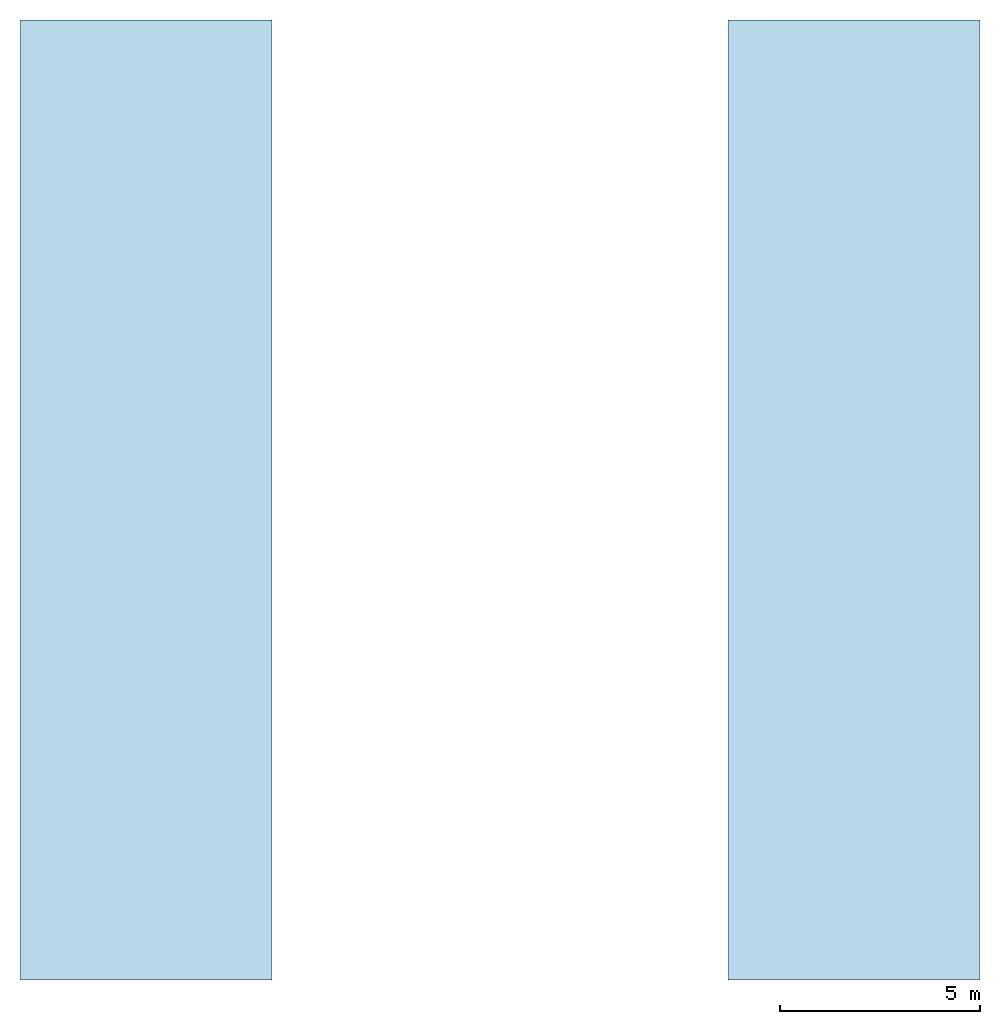
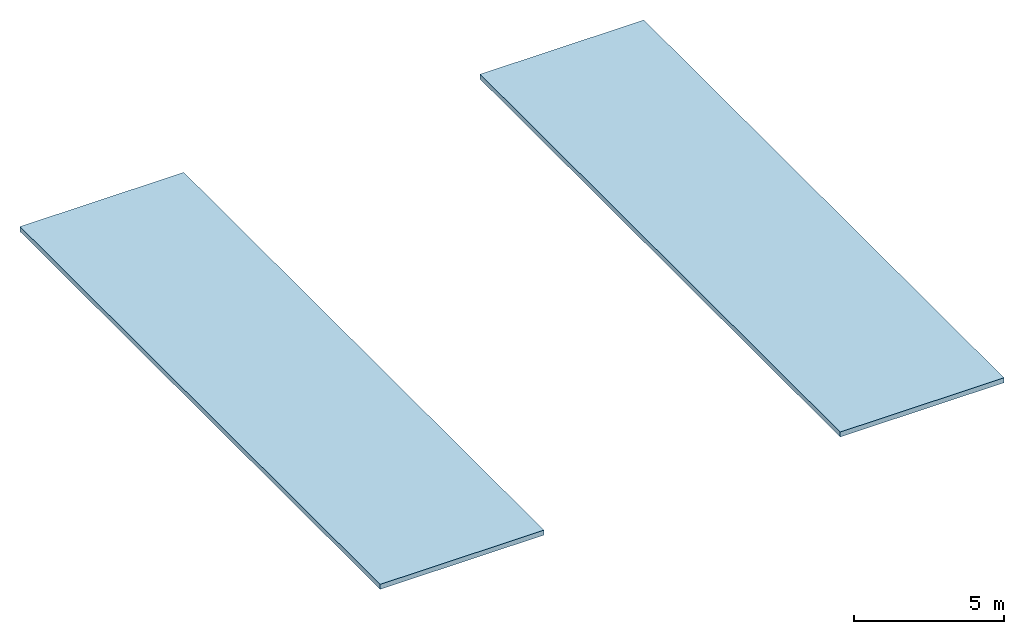
# One storey: 2 slabs.
"""IFC4 building model written with IfcOpenShell, lengths in metres."""

import ifcopenshell
import ifcopenshell.guid

model = None  # the IFC model being written
_history = None  # IfcOwnerHistory: only IFC2X3 demands one
_inside = {}  # id of a spatial element -> (the spatial element, [elements in it])
_under = {}  # id of a project, library or spatial element -> (it, [spatial elements below it])
_declared = {}  # id of a project -> (the project, [libraries it declares])
_typed = {}  # id of a type object -> (the type object, [elements of that type])
_made_of = {}  # id of a material, layer set ... -> (it, [elements and type objects made of it])


def new_model(schema):
    """Start an empty IFC model of exactly this schema.

    Asked for "IFC4X3", IfcOpenShell would pick the latest addendum, in which some entities
    have other attributes; the version numbers below select the first issue.
    IFC2X3 requires an IfcOwnerHistory on every rooted entity: one is made here for all.
    """
    global model, _history
    if schema == "IFC4X3":
        model = ifcopenshell.file(schema_version=(4, 3, 0, 0))
    else:
        model = ifcopenshell.file(schema=schema)
    _inside.clear()
    _under.clear()
    _declared.clear()
    _typed.clear()
    _made_of.clear()
    _history = None
    if model.schema == "IFC2X3":
        org = make("IfcOrganization", Name="unknown")
        user = make(
            "IfcPersonAndOrganization",
            ThePerson=make("IfcPerson", FamilyName="unknown"),
            TheOrganization=org,
        )
        app = make(
            "IfcApplication",
            ApplicationDeveloper=org,
            Version="unknown",
            ApplicationFullName="unknown",
            ApplicationIdentifier="unknown",
        )
        _history = make(
            "IfcOwnerHistory",
            OwningUser=user,
            OwningApplication=app,
            ChangeAction="ADDED",
            CreationDate=0,
        )
    return model


def make(cls, **values):
    """One entity of the class cls with the attributes given. An attribute that is None is left unset."""
    return model.create_entity(
        cls, **{name: value for name, value in values.items() if value is not None}
    )


def rooted(cls, **values):
    """An entity with a GlobalId (a new one), such as an element, a storey or a relation."""
    return make(cls, GlobalId=ifcopenshell.guid.new(), OwnerHistory=_history, **values)


def si_unit(unit_type, name, prefix=None):
    """IfcSIUnit, for example si_unit("LENGTHUNIT", "METRE", prefix="MILLI")."""
    return make("IfcSIUnit", UnitType=unit_type, Prefix=prefix, Name=name)


def assignment(units):
    """IfcUnitAssignment: the units of a project."""
    return None if units is None else make("IfcUnitAssignment", Units=units)


def point(xyz):
    """IfcCartesianPoint."""
    return None if xyz is None else make("IfcCartesianPoint", Coordinates=xyz)


def direction(xyz):
    """IfcDirection."""
    return None if xyz is None else make("IfcDirection", DirectionRatios=xyz)


def frame(location, z_axis=None, x_axis=None):
    """IfcAxis2Placement3D, a coordinate frame: its origin and axes. An axis left out is left unset."""
    return make(
        "IfcAxis2Placement3D",
        Location=point(location),
        Axis=direction(z_axis),
        RefDirection=direction(x_axis),
    )


def origin():
    """The frame at (0, 0, 0) with its axes left unset."""
    return frame((0.0, 0.0, 0.0))


def place(relative_to, where):
    """IfcLocalPlacement: puts the frame where relative to a parent placement (None: the world)."""
    return make(
        "IfcLocalPlacement", PlacementRelTo=relative_to, RelativePlacement=where
    )


def context(
    kind, dimensions, precision=None, world=None, true_north=None, identifier=None
):
    """IfcGeometricRepresentationContext, for example the 3D "Model" context."""
    return make(
        "IfcGeometricRepresentationContext",
        ContextIdentifier=identifier,
        ContextType=kind,
        CoordinateSpaceDimension=dimensions,
        Precision=precision,
        WorldCoordinateSystem=world,
        TrueNorth=true_north,
    )


def subcontext(parent, identifier, kind, view, scale=None):
    """IfcGeometricRepresentationSubContext, for example "Body" below "Model"."""
    return make(
        "IfcGeometricRepresentationSubContext",
        ContextIdentifier=identifier,
        ContextType=kind,
        ParentContext=parent,
        TargetScale=scale,
        TargetView=view,
    )


def project(units=None, contexts=None):
    """IfcProject with its units and contexts."""
    return rooted(
        "IfcProject",
        Name="project",
        RepresentationContexts=contexts,
        UnitsInContext=assignment(units),
    )


def spatial(cls, under=None, at=None, **own):
    """A site, building, storey or space (cls), placed at a placement, below another one or the project."""
    s = rooted(cls, ObjectPlacement=at, **own)
    if under is not None:
        _under.setdefault(under.id(), (under, []))[1].append(s)
    return s


def polyline(points):
    """IfcPolyline through the points."""
    return make("IfcPolyline", Points=[point(p) for p in points])


def outline(outer, holes=None, kind="AREA"):
    """IfcArbitraryClosedProfileDef: a profile drawn as a closed curve; with holes, ...WithVoids."""
    if holes is None:
        return make("IfcArbitraryClosedProfileDef", ProfileType=kind, OuterCurve=outer)
    return make(
        "IfcArbitraryProfileDefWithVoids",
        ProfileType=kind,
        OuterCurve=outer,
        InnerCurves=holes,
    )


def extrude(swept, where, along, depth):
    """IfcExtrudedAreaSolid: the profile swept, set in the frame where, extruded along a direction by depth."""
    return make(
        "IfcExtrudedAreaSolid",
        SweptArea=swept,
        Position=where,
        ExtrudedDirection=direction(along),
        Depth=depth,
    )


def shape(context_of_items, identifier, shape_type, items):
    """IfcShapeRepresentation: the items that make up one representation, for example the "Body"."""
    return make(
        "IfcShapeRepresentation",
        ContextOfItems=context_of_items,
        RepresentationIdentifier=identifier,
        RepresentationType=shape_type,
        Items=items,
    )


def material(Name=None, Category=None):
    """IfcMaterial."""
    return make("IfcMaterial", Name=Name, Category=Category)


def layer(
    of_material, thickness, ventilated=None, Name=None, Category=None, Priority=None
):
    """IfcMaterialLayer: one layer of a wall or slab, of a material (None: an air gap)."""
    return make(
        "IfcMaterialLayer",
        Material=of_material,
        LayerThickness=thickness,
        IsVentilated=ventilated,
        Name=Name,
        Category=Category,
        Priority=Priority,
    )


def layer_set(layers, Name=None):
    """IfcMaterialLayerSet."""
    return make("IfcMaterialLayerSet", MaterialLayers=layers, LayerSetName=Name)


def made_of(thing, what):
    """Note that an element or type object is made of a material, layer set ...; save() writes the relation."""
    if what is not None:
        _made_of.setdefault(what.id(), (what, []))[1].append(thing)
    return thing


def type_object(cls, material=None, **own):
    """A type object (cls), such as IfcWallType, which elements share."""
    return made_of(rooted(cls, **own), material)


def element(
    cls,
    number,
    at=None,
    inside=None,
    cuts=None,
    type_object=None,
    material=None,
    context=None,
    identifier="Body",
    shape_type=None,
    held_by="IfcProductDefinitionShape",
    body=None,
    shapes=None,
    **own,
):
    """One element of the class cls, such as IfcWall. Its Tag is "e" and its number.

    at: its placement. inside: the storey or other place that contains it. cuts: it is an
    opening in that element (IfcRelVoidsElement). A single representation is given by context,
    identifier, shape_type and body (its items); several are given by shapes. held_by: the class
    of the entity that holds the representations. save() writes the other relations.
    """
    e = rooted(cls, Tag="e%d" % number, ObjectPlacement=at, **own)
    if body is not None:
        shapes = [shape(context, identifier, shape_type, body)]
    if shapes is not None:
        e.Representation = make(held_by, Representations=shapes)
    if inside is not None:
        _inside.setdefault(inside.id(), (inside, []))[1].append(e)
    if cuts is not None:
        rooted(
            "IfcRelVoidsElement", RelatingBuildingElement=cuts, RelatedOpeningElement=e
        )
    if type_object is not None:
        _typed.setdefault(type_object.id(), (type_object, []))[1].append(e)
    return made_of(e, material)


def aggregate(whole, parts):
    """IfcRelAggregates: a whole, such as a stair, and the parts it consists of."""
    return rooted("IfcRelAggregates", RelatingObject=whole, RelatedObjects=parts)


def save(model, path):
    """Write the relations noted so far, then the file.

    IfcRelAggregates (storeys below a building ...), IfcRelContainedInSpatialStructure (elements
    in a storey), IfcRelDefinesByType, IfcRelAssociatesMaterial and IfcRelDeclares: one each for
    every whole, place, type object, material and project.
    """
    for whole, parts in _under.values():
        aggregate(whole, parts)
    for where, things in _inside.values():
        rooted(
            "IfcRelContainedInSpatialStructure",
            RelatedElements=things,
            RelatingStructure=where,
        )
    for kind, things in _typed.values():
        rooted("IfcRelDefinesByType", RelatedObjects=things, RelatingType=kind)
    for what, things in _made_of.values():
        rooted("IfcRelAssociatesMaterial", RelatedObjects=things, RelatingMaterial=what)
    for by, libraries in _declared.values():
        rooted("IfcRelDeclares", RelatingContext=by, RelatedDefinitions=libraries)
    model.write(path)


model = new_model("IFC4")

# Units and contexts
model_context = context("Model", 3, precision=1e-05, world=origin(), true_north=direction((0.0, 1.0)))
body_context = subcontext(model_context, "Body", "Model", "MODEL_VIEW")
ifc_project = project(units=[si_unit("LENGTHUNIT", "METRE"), si_unit("AREAUNIT", "SQUARE_METRE"), si_unit("VOLUMEUNIT", "CUBIC_METRE"), si_unit("PLANEANGLEUNIT", "RADIAN"), si_unit("MASSUNIT", "GRAM", prefix="KILO")], contexts=[model_context])

# Site, building, storey
site_placement = place(None, origin())
site = spatial("IfcSite", under=ifc_project, at=site_placement, CompositionType="ELEMENT")
building_placement = place(site_placement, origin())
building = spatial("IfcBuilding", under=site, at=building_placement, Name="Peilmerk Tower", CompositionType="ELEMENT")
storey_placement = place(building_placement, frame((0.0, 0.0, 311.60009765625)))
storey = spatial("IfcBuildingStorey", under=building, at=storey_placement, Name="RF-HH", CompositionType="ELEMENT", Elevation=311.60009765625)

# Slabs
ifc_material = material(Name="Concrete C35/45", Category="concrete")
ifc_layer = layer(ifc_material, 0.199951171875)
ifc_layer_set = layer_set([ifc_layer], Name="Concrete C35/45")
slab_type = type_object("IfcSlabType", Name="RS200 200 stair head-house roof slab", PredefinedType="ROOF", material=ifc_layer_set)
slab_1_placement = place(storey_placement, frame((0.0, 0.0, -0.2001953125)))
element("IfcSlab", 1, at=slab_1_placement, inside=storey, type_object=slab_type, Name="Stair 1 head-house roof slab RF", PredefinedType="ROOF", context=body_context, shape_type="SweptSolid", body=[
    extrude(outline(polyline([(-5.699951171875, -12.0), (-5.699951171875, 12.0), (-12.0, 12.0), (-12.0, -12.0), (-5.699951171875, -12.0)])), origin(), (0.0, 0.0, 1.0), 0.2001953125),
])
slab_2_placement = place(storey_placement, frame((0.0, 0.0, -0.2001953125)))
element("IfcSlab", 2, at=slab_2_placement, inside=storey, type_object=slab_type, Name="Stair 2 head-house roof slab RF", PredefinedType="ROOF", context=body_context, shape_type="SweptSolid", body=[
    extrude(outline(polyline([(12.0, -12.0), (12.0, 12.0), (5.699951171875, 12.0), (5.699951171875, -12.0), (12.0, -12.0)])), origin(), (0.0, 0.0, 1.0), 0.2001953125),
])

save(model, "model.ifc")
